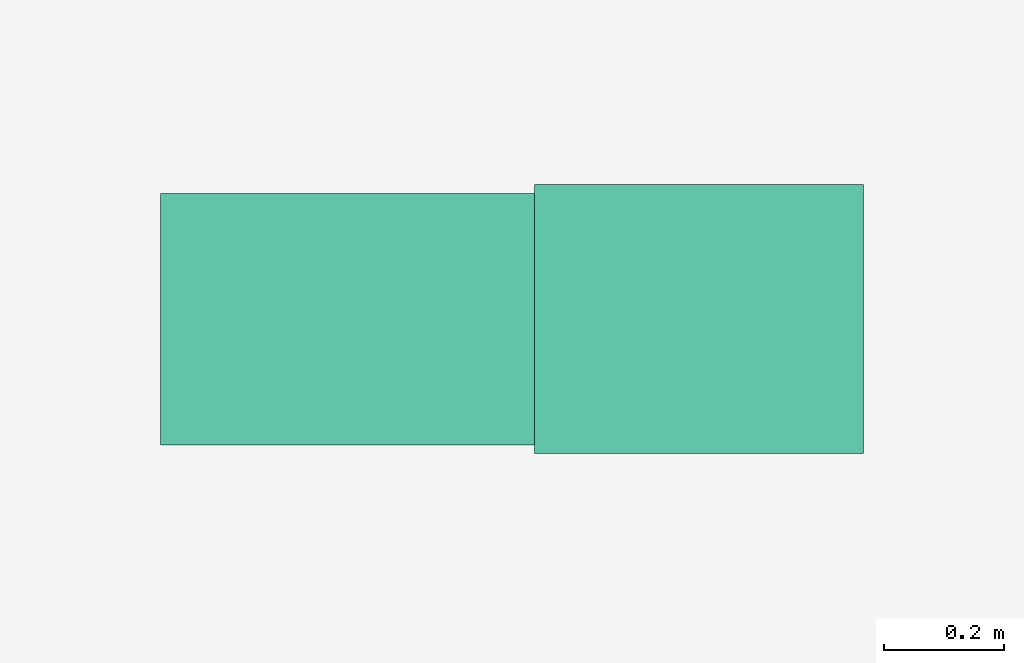
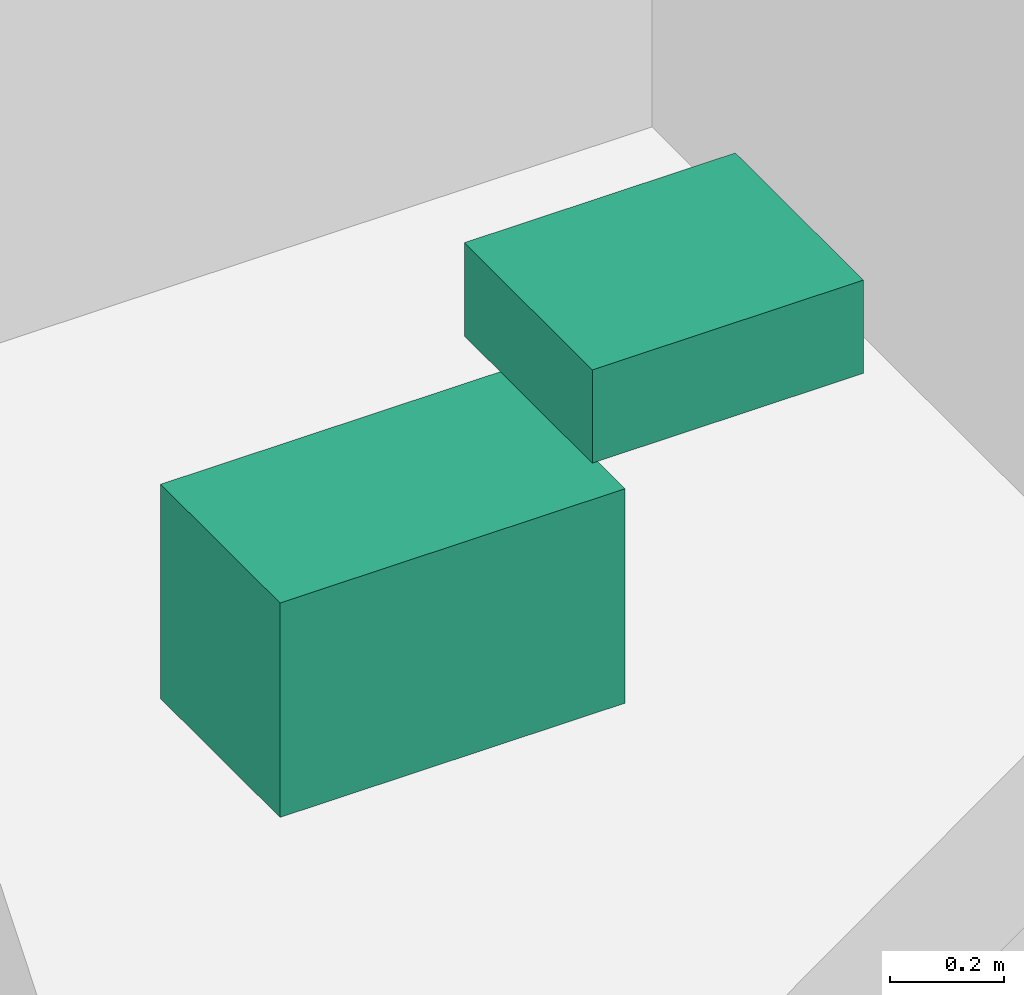
# One storey, part 12 of 12: 2 sanitary terminals.
"""IFC4 building model written with IfcOpenShell, lengths in metres."""

from ifc_helpers import new_model, si_unit, direction, frame, origin, origin_2d, place, context, subcontext, project, spatial, rectangle, extrude, material, type_object, element, save


model = new_model("IFC4")

# Units and contexts
model_context = context("Model", 3, precision=1e-05, world=origin(), true_north=direction((0.0, 1.0)))
body_context = subcontext(model_context, "Body", "Model", "MODEL_VIEW")
ifc_project = project(units=[si_unit("LENGTHUNIT", "METRE"), si_unit("AREAUNIT", "SQUARE_METRE"), si_unit("VOLUMEUNIT", "CUBIC_METRE"), si_unit("PLANEANGLEUNIT", "RADIAN"), si_unit("MASSUNIT", "GRAM", prefix="KILO")], contexts=[model_context])

# Site, building, storey
site_placement = place(None, origin())
site = spatial("IfcSite", under=ifc_project, at=site_placement, CompositionType="ELEMENT")
building_placement = place(site_placement, origin())
building = spatial("IfcBuilding", under=site, at=building_placement, Name="Surkhivell Harbour Commons", CompositionType="ELEMENT")
storey_placement = place(building_placement, frame((0.0, 0.0, 78.75)))
storey = spatial("IfcBuildingStorey", under=building, at=storey_placement, Name="L20", CompositionType="ELEMENT", Elevation=78.75)

# Sanitary terminals
ifc_material_1 = material(Name="Vitreous china washbasin", Category="other")
sanitary_terminal_type_1 = type_object("IfcSanitaryTerminalType", Name="SAN-BSN", PredefinedType="WASHHANDBASIN", material=ifc_material_1)
sanitary_terminal_1_placement = place(storey_placement, frame((1.89990234375, 2.89990234375, 0.72021484375), z_axis=(0.0, 0.0, 1.0), x_axis=(1.0, 0.0, 0.0)))
element("IfcSanitaryTerminal", 1, at=sanitary_terminal_1_placement, inside=storey, type_object=sanitary_terminal_type_1, Name="L20 Core Accessible WC Washbasin", PredefinedType="WASHHANDBASIN", context=body_context, shape_type="SweptSolid", body=[
    extrude(rectangle(XDim=0.550048828125, YDim=0.449951171875, at=origin_2d()), origin(), (0.0, 0.0, 1.0), 0.199951171875),
])
ifc_material_2 = material(Name="Vitreous china sanitaryware", Category="other")
sanitary_terminal_type_2 = type_object("IfcSanitaryTerminalType", Name="SAN-WC-ACC", PredefinedType="TOILETPAN", material=ifc_material_2)
sanitary_terminal_2_placement = place(storey_placement, frame((1.35009765625, 2.89990234375, 0.169921875), z_axis=(0.0, 0.0, 1.0), x_axis=(1.0, 0.0, 0.0)))
element("IfcSanitaryTerminal", 2, at=sanitary_terminal_2_placement, inside=storey, type_object=sanitary_terminal_type_2, Name="L20 Core Accessible WC", PredefinedType="TOILETPAN", context=body_context, shape_type="SweptSolid", body=[
    extrude(rectangle(XDim=0.699951171875, YDim=0.419921875, at=origin_2d()), origin(), (0.0, 0.0, 1.0), 0.4599609375),
])

save(model, "model.ifc")
